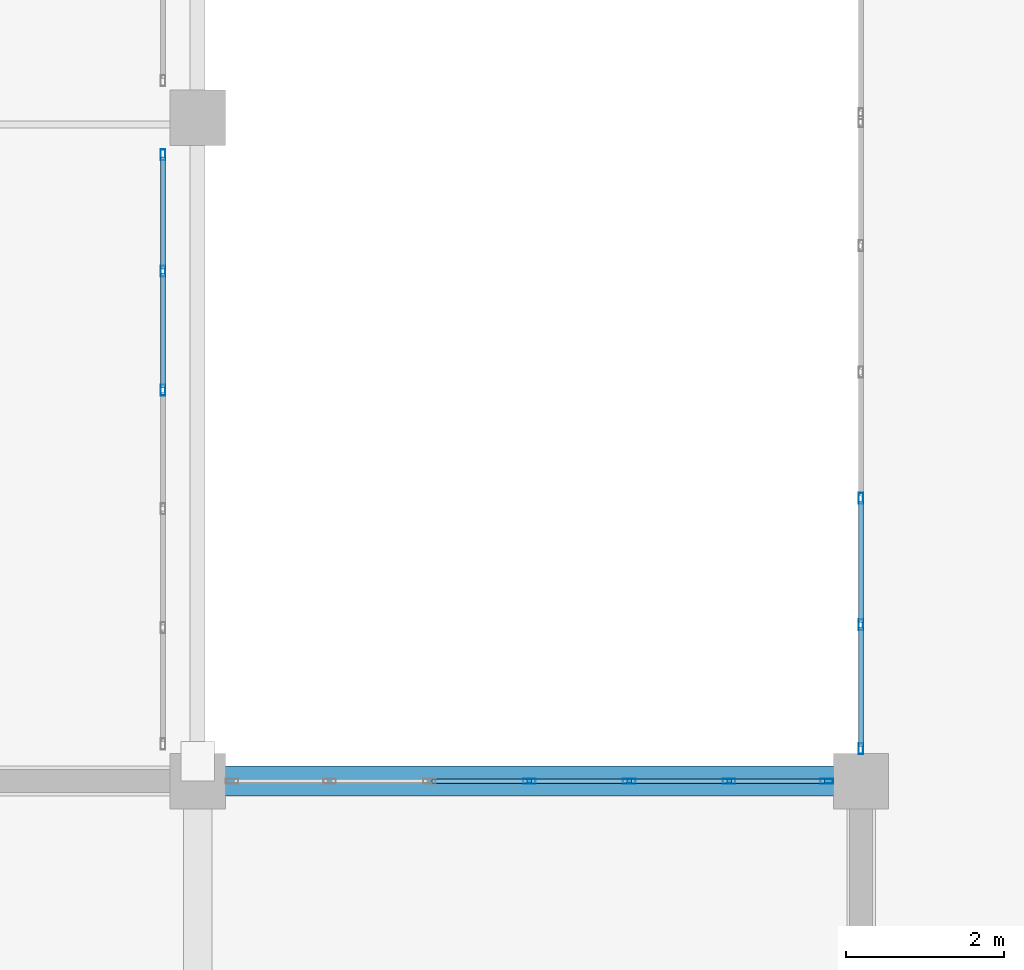
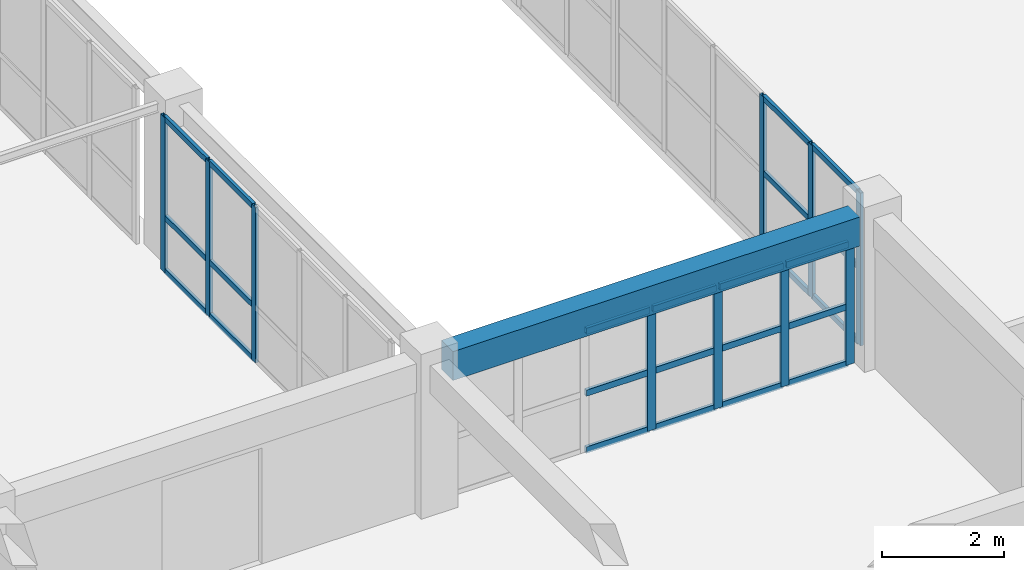
# One storey, part 63 of 148: 34 members, 1 beam, 3 elements without a shape of their own.
"""IFC4 building model written with IfcOpenShell, lengths in metres."""

from ifc_helpers import new_model, si_unit, direction, frame, origin, origin_2d, place, context, subcontext, project, spatial, rectangle, hollow_rectangle, extrude, material, layer, layer_set, material_profile, profile_set, type_object, element, aggregate, save


model = new_model("IFC4")

# Units and contexts
model_context = context("Model", 3, precision=1e-05, world=origin(), true_north=direction((0.0, 1.0)))
body_context = subcontext(model_context, "Body", "Model", "MODEL_VIEW")
ifc_project = project(units=[si_unit("LENGTHUNIT", "METRE"), si_unit("AREAUNIT", "SQUARE_METRE"), si_unit("VOLUMEUNIT", "CUBIC_METRE"), si_unit("PLANEANGLEUNIT", "RADIAN"), si_unit("MASSUNIT", "GRAM", prefix="KILO")], contexts=[model_context])

# Site, building, storey
site_placement = place(None, origin())
site = spatial("IfcSite", under=ifc_project, at=site_placement, CompositionType="ELEMENT")
building_placement = place(site_placement, origin())
building = spatial("IfcBuilding", under=site, at=building_placement, Name="Trelvath General Hospital", CompositionType="ELEMENT")
storey_placement = place(building_placement, frame((0.0, 0.0, 12.89990234375)))
storey = spatial("IfcBuildingStorey", under=building, at=storey_placement, Name="L03", CompositionType="ELEMENT", Elevation=12.89990234375)

# Beam
ifc_material_1 = material(Name="Concrete C35/45", Category="concrete")
ifc_material_profile_1 = material_profile(ifc_material_1, rectangle(XDim=0.3798828125, YDim=0.580078125, at=origin_2d()), Name="RCB380x580")
ifc_profile_set_1 = profile_set([ifc_material_profile_1], Name="Concrete C35/45")
beam_type = type_object("IfcBeamType", Name="Beam RC380x580", PredefinedType="BEAM", material=ifc_profile_set_1)
beam_placement = place(storey_placement, frame((84.344970703125, 67.199951171875, 2.72998046875), z_axis=(1.0, 0.0, 0.0), x_axis=(0.0, 1.0, 0.0)))
element("IfcBeam", 1, at=beam_placement, inside=storey, type_object=beam_type, Name="Grid Beam BX-310I", PredefinedType="BEAM", context=body_context, shape_type="SweptSolid", body=[
    extrude(rectangle(XDim=0.3798828125, YDim=0.580078125, at=origin_2d()), origin(), (0.0, 0.0, 1.0), 7.7099609375),
])

# Curtain wall, members
ifc_material_2 = material(Name="Anodised aluminium and low-E glass", Category="aluminium")
ifc_layer_1 = layer(ifc_material_2, 0.14990234375)
ifc_layer_set_1 = layer_set([ifc_layer_1], Name="Anodised aluminium and low-E glass")
curtain_wall_type_1 = type_object("IfcCurtainWallType", Name="CW CrystalCube 800 306 15", PredefinedType="USERDEFINED", material=ifc_layer_set_1)
curtain_wall_1_placement = place(storey_placement, origin())
curtain_wall_1 = element("IfcCurtainWall", 2, at=curtain_wall_1_placement, inside=storey, type_object=curtain_wall_type_1, Name="Crystal Cube Curtain Wall CUBE-E-T1 W4 L03", ObjectType="Unitised Glazed Curtain Wall", PredefinedType="USERDEFINED")
ifc_material_3 = material(Name="Anodised aluminium", Category="aluminium")
ifc_material_profile_2 = material_profile(ifc_material_3, hollow_rectangle(XDim=0.06005859375, YDim=0.139892578125, WallThickness=0.00390625, at=origin_2d()), Name="RHS60x140x4")
ifc_profile_set_2 = profile_set([ifc_material_profile_2], Name="Anodised aluminium")
member_type_1 = type_object("IfcMemberType", Name="CurtainMullion 60x140", PredefinedType="MULLION", material=ifc_profile_set_2)
member_1_placement = place(storey_placement, frame((92.39990234375, 67.610107421875, 0.0), z_axis=(0.0, 0.0, 1.0), x_axis=(-1.0, 0.0, 0.0)))
member_1 = element("IfcMember", 3, at=member_1_placement, type_object=member_type_1, Name="CW-255 mullion 1", PredefinedType="MULLION", context=body_context, shape_type="SweptSolid", body=[
    extrude(hollow_rectangle(XDim=0.06005859375, YDim=0.139892578125, WallThickness=0.00390625, at=origin_2d()), origin(), (0.0, 0.0, 1.0), 3.06005859375),
])
member_2_placement = place(storey_placement, frame((92.39990234375, 69.179931640625, 0.0), z_axis=(0.0, 0.0, 1.0), x_axis=(-1.0, 0.0, 0.0)))
member_2 = element("IfcMember", 4, at=member_2_placement, type_object=member_type_1, Name="CW-255 mullion 2", PredefinedType="MULLION", context=body_context, shape_type="SweptSolid", body=[
    extrude(hollow_rectangle(XDim=0.06005859375, YDim=0.139892578125, WallThickness=0.00390625, at=origin_2d()), origin(), (0.0, 0.0, 1.0), 3.06005859375),
])
member_3_placement = place(storey_placement, frame((92.39990234375, 70.780029296875, 0.0), z_axis=(0.0, 0.0, 1.0), x_axis=(-1.0, 0.0, 0.0)))
member_3 = element("IfcMember", 5, at=member_3_placement, type_object=member_type_1, Name="CW-255 mullion 3", PredefinedType="MULLION", context=body_context, shape_type="SweptSolid", body=[
    extrude(hollow_rectangle(XDim=0.06005859375, YDim=0.139892578125, WallThickness=0.00390625, at=origin_2d()), origin(), (0.0, 0.0, 1.0), 3.06005859375),
])

ifc_material_4 = material(Name="Anodised aluminium and low-E glass", Category="aluminium")
ifc_layer_2 = layer(ifc_material_4, 0.139892578125)
ifc_layer_set_2 = layer_set([ifc_layer_2], Name="Anodised aluminium and low-E glass")
curtain_wall_type_2 = type_object("IfcCurtainWallType", Name="CW Bridge 752 311", PredefinedType="USERDEFINED", material=ifc_layer_set_2)
curtain_wall_2_placement = place(storey_placement, origin())
curtain_wall_2 = element("IfcCurtainWall", 6, at=curtain_wall_2_placement, inside=storey, type_object=curtain_wall_type_2, Name="Glazed Bridge Curtain Wall BRG-N-C E L03", ObjectType="Unitised Glazed Curtain Wall", PredefinedType="USERDEFINED")
member_4_placement = place(storey_placement, frame((83.56005859375, 75.1298828125, 0.0), z_axis=(0.0, 0.0, 1.0), x_axis=(1.0, 0.0, 0.0)))
member_4 = element("IfcMember", 7, at=member_4_placement, type_object=member_type_1, Name="CW-259 mullion 1", PredefinedType="MULLION", context=body_context, shape_type="SweptSolid", body=[
    extrude(hollow_rectangle(XDim=0.06005859375, YDim=0.139892578125, WallThickness=0.00390625, at=origin_2d()), origin(), (0.0, 0.0, 1.0), 3.110107421875),
])
member_5_placement = place(storey_placement, frame((83.56005859375, 73.656005859375, 0.0), z_axis=(0.0, 0.0, 1.0), x_axis=(1.0, 0.0, 0.0)))
member_5 = element("IfcMember", 8, at=member_5_placement, type_object=member_type_1, Name="CW-259 mullion 2", PredefinedType="MULLION", context=body_context, shape_type="SweptSolid", body=[
    extrude(hollow_rectangle(XDim=0.06005859375, YDim=0.139892578125, WallThickness=0.00390625, at=origin_2d()), origin(), (0.0, 0.0, 1.0), 3.110107421875),
])
member_6_placement = place(storey_placement, frame((83.56005859375, 72.152099609375, 0.0), z_axis=(0.0, 0.0, 1.0), x_axis=(1.0, 0.0, 0.0)))
member_6 = element("IfcMember", 9, at=member_6_placement, type_object=member_type_1, Name="CW-259 mullion 3", PredefinedType="MULLION", context=body_context, shape_type="SweptSolid", body=[
    extrude(hollow_rectangle(XDim=0.06005859375, YDim=0.139892578125, WallThickness=0.00390625, at=origin_2d()), origin(), (0.0, 0.0, 1.0), 3.110107421875),
])

ifc_material_5 = material(Name="Anodised aluminium and low-E glass", Category="aluminium")
ifc_layer_3 = layer(ifc_material_5, 0.159912109375)
ifc_layer_set_3 = layer_set([ifc_layer_3], Name="Anodised aluminium and low-E glass")
curtain_wall_type_3 = type_object("IfcCurtainWallType", Name="CW Facade 759 244 16", PredefinedType="USERDEFINED", material=ifc_layer_set_3)
curtain_wall_3_placement = place(storey_placement, origin())
curtain_wall_3 = element("IfcCurtainWall", 10, at=curtain_wall_3_placement, inside=storey, type_object=curtain_wall_type_3, Name="Facade Curtain Wall CW-059", ObjectType="Unitised Glazed Curtain Wall", PredefinedType="USERDEFINED")
ifc_material_6 = material(Name="Anodised aluminium", Category="aluminium")
ifc_material_profile_3 = material_profile(ifc_material_6, hollow_rectangle(XDim=0.06005859375, YDim=0.159912109375, WallThickness=0.00390625, at=origin_2d()), Name="RHS60x160x4")
ifc_profile_set_3 = profile_set([ifc_material_profile_3], Name="Anodised aluminium")
member_type_2 = type_object("IfcMemberType", Name="CurtainMullion 60x160", PredefinedType="MULLION", material=ifc_profile_set_3)
member_7_placement = place(storey_placement, frame((88.199951171875, 67.199951171875, 0.0), z_axis=(0.0, 0.0, 1.0), x_axis=(0.0, 1.0, 0.0)))
member_7 = element("IfcMember", 11, at=member_7_placement, type_object=member_type_2, Name="CW-059 mullion 4", PredefinedType="MULLION", context=body_context, shape_type="SweptSolid", body=[
    extrude(hollow_rectangle(XDim=0.06005859375, YDim=0.159912109375, WallThickness=0.00390625, at=origin_2d()), origin(), (0.0, 0.0, 1.0), 2.440185546875),
])
member_8_placement = place(storey_placement, frame((89.465087890625, 67.199951171875, 0.0), z_axis=(0.0, 0.0, 1.0), x_axis=(0.0, 1.0, 0.0)))
member_8 = element("IfcMember", 12, at=member_8_placement, type_object=member_type_2, Name="CW-059 mullion 5", PredefinedType="MULLION", context=body_context, shape_type="SweptSolid", body=[
    extrude(hollow_rectangle(XDim=0.06005859375, YDim=0.159912109375, WallThickness=0.00390625, at=origin_2d()), origin(), (0.0, 0.0, 1.0), 2.440185546875),
])
member_9_placement = place(storey_placement, frame((90.72998046875, 67.199951171875, 0.0), z_axis=(0.0, 0.0, 1.0), x_axis=(0.0, 1.0, 0.0)))
member_9 = element("IfcMember", 13, at=member_9_placement, type_object=member_type_2, Name="CW-059 mullion 6", PredefinedType="MULLION", context=body_context, shape_type="SweptSolid", body=[
    extrude(hollow_rectangle(XDim=0.06005859375, YDim=0.159912109375, WallThickness=0.00390625, at=origin_2d()), origin(), (0.0, 0.0, 1.0), 2.440185546875),
])
member_10_placement = place(storey_placement, frame((91.965087890625, 67.199951171875, 0.0), z_axis=(0.0, 0.0, 1.0), x_axis=(0.0, 1.0, 0.0)))
member_10 = element("IfcMember", 14, at=member_10_placement, type_object=member_type_2, Name="CW-059 mullion 7", PredefinedType="MULLION", context=body_context, shape_type="SweptSolid", body=[
    extrude(hollow_rectangle(XDim=0.06005859375, YDim=0.159912109375, WallThickness=0.00390625, at=origin_2d()), origin(), (0.0, 0.0, 1.0), 2.440185546875),
])

# Member
ifc_material_7 = material(Name="Anodised aluminium", Category="aluminium")
ifc_material_profile_4 = material_profile(ifc_material_7, hollow_rectangle(XDim=0.06005859375, YDim=0.110107421875, WallThickness=0.00390625, at=origin_2d()), Name="RHS60x110x4")
ifc_profile_set_4 = profile_set([ifc_material_profile_4], Name="Anodised aluminium")
member_type_3 = type_object("IfcMemberType", Name="CurtainTransom 60x110", PredefinedType="USERDEFINED", material=ifc_profile_set_4)
member_11_placement = place(storey_placement, frame((92.39990234375, 67.639892578125, 0.030029296875), z_axis=(0.0, 1.0, 0.0), x_axis=(-1.0, 0.0, 0.0)))
member_11 = element("IfcMember", 15, at=member_11_placement, type_object=member_type_3, Name="CW-255 transom 1.1", ObjectType="TRANSOM", PredefinedType="USERDEFINED", context=body_context, shape_type="SweptSolid", body=[
    extrude(hollow_rectangle(XDim=0.06005859375, YDim=0.110107421875, WallThickness=0.00390625, at=origin_2d()), origin(), (0.0, 0.0, 1.0), 1.510009765625),
])

member_12_placement = place(storey_placement, frame((92.39990234375, 67.639892578125, 1.530029296875), z_axis=(0.0, 1.0, 0.0), x_axis=(-1.0, 0.0, 0.0)))
member_12 = element("IfcMember", 16, at=member_12_placement, type_object=member_type_3, Name="CW-255 transom 1.2", ObjectType="TRANSOM", PredefinedType="USERDEFINED", context=body_context, shape_type="SweptSolid", body=[
    extrude(hollow_rectangle(XDim=0.06005859375, YDim=0.110107421875, WallThickness=0.00390625, at=origin_2d()), origin(), (0.0, 0.0, 1.0), 1.510009765625),
])

member_13_placement = place(storey_placement, frame((92.39990234375, 67.639892578125, 3.030029296875), z_axis=(0.0, 1.0, 0.0), x_axis=(-1.0, 0.0, 0.0)))
member_13 = element("IfcMember", 17, at=member_13_placement, type_object=member_type_3, Name="CW-255 transom 1.3", ObjectType="TRANSOM", PredefinedType="USERDEFINED", context=body_context, shape_type="SweptSolid", body=[
    extrude(hollow_rectangle(XDim=0.06005859375, YDim=0.110107421875, WallThickness=0.00390625, at=origin_2d()), origin(), (0.0, 0.0, 1.0), 1.510009765625),
])

member_14_placement = place(storey_placement, frame((92.39990234375, 69.2099609375, 0.030029296875), z_axis=(0.0, 1.0, 0.0), x_axis=(-1.0, 0.0, 0.0)))
member_14 = element("IfcMember", 18, at=member_14_placement, type_object=member_type_3, Name="CW-255 transom 2.1", ObjectType="TRANSOM", PredefinedType="USERDEFINED", context=body_context, shape_type="SweptSolid", body=[
    extrude(hollow_rectangle(XDim=0.06005859375, YDim=0.110107421875, WallThickness=0.00390625, at=origin_2d()), origin(), (0.0, 0.0, 1.0), 1.5400390625),
])

member_15_placement = place(storey_placement, frame((92.39990234375, 69.2099609375, 1.530029296875), z_axis=(0.0, 1.0, 0.0), x_axis=(-1.0, 0.0, 0.0)))
member_15 = element("IfcMember", 19, at=member_15_placement, type_object=member_type_3, Name="CW-255 transom 2.2", ObjectType="TRANSOM", PredefinedType="USERDEFINED", context=body_context, shape_type="SweptSolid", body=[
    extrude(hollow_rectangle(XDim=0.06005859375, YDim=0.110107421875, WallThickness=0.00390625, at=origin_2d()), origin(), (0.0, 0.0, 1.0), 1.5400390625),
])

member_16_placement = place(storey_placement, frame((92.39990234375, 69.2099609375, 3.030029296875), z_axis=(0.0, 1.0, 0.0), x_axis=(-1.0, 0.0, 0.0)))
member_16 = element("IfcMember", 20, at=member_16_placement, type_object=member_type_3, Name="CW-255 transom 2.3", ObjectType="TRANSOM", PredefinedType="USERDEFINED", context=body_context, shape_type="SweptSolid", body=[
    extrude(hollow_rectangle(XDim=0.06005859375, YDim=0.110107421875, WallThickness=0.00390625, at=origin_2d()), origin(), (0.0, 0.0, 1.0), 1.5400390625),
])

aggregate(curtain_wall_1, [member_1, member_2, member_3, member_11, member_12, member_13, member_14, member_15, member_16])

member_17_placement = place(storey_placement, frame((83.56005859375, 75.10009765625, 0.030029296875), z_axis=(0.0, -1.0, 0.0), x_axis=(1.0, 0.0, 0.0)))
member_17 = element("IfcMember", 21, at=member_17_placement, type_object=member_type_3, Name="CW-259 transom 1.1", ObjectType="TRANSOM", PredefinedType="USERDEFINED", context=body_context, shape_type="SweptSolid", body=[
    extrude(hollow_rectangle(XDim=0.06005859375, YDim=0.110107421875, WallThickness=0.00390625, at=origin_2d()), origin(), (0.0, 0.0, 1.0), 1.4140625),
])

member_18_placement = place(storey_placement, frame((83.56005859375, 75.10009765625, 1.10009765625), z_axis=(0.0, -1.0, 0.0), x_axis=(1.0, 0.0, 0.0)))
member_18 = element("IfcMember", 22, at=member_18_placement, type_object=member_type_3, Name="CW-259 transom 1.2", ObjectType="TRANSOM", PredefinedType="USERDEFINED", context=body_context, shape_type="SweptSolid", body=[
    extrude(hollow_rectangle(XDim=0.06005859375, YDim=0.110107421875, WallThickness=0.00390625, at=origin_2d()), origin(), (0.0, 0.0, 1.0), 1.4140625),
])

member_19_placement = place(storey_placement, frame((83.56005859375, 75.10009765625, 3.080078125), z_axis=(0.0, -1.0, 0.0), x_axis=(1.0, 0.0, 0.0)))
member_19 = element("IfcMember", 23, at=member_19_placement, type_object=member_type_3, Name="CW-259 transom 1.3", ObjectType="TRANSOM", PredefinedType="USERDEFINED", context=body_context, shape_type="SweptSolid", body=[
    extrude(hollow_rectangle(XDim=0.06005859375, YDim=0.110107421875, WallThickness=0.00390625, at=origin_2d()), origin(), (0.0, 0.0, 1.0), 1.4140625),
])

member_20_placement = place(storey_placement, frame((83.56005859375, 73.6259765625, 0.030029296875), z_axis=(0.0, -1.0, 0.0), x_axis=(1.0, 0.0, 0.0)))
member_20 = element("IfcMember", 24, at=member_20_placement, type_object=member_type_3, Name="CW-259 transom 2.1", ObjectType="TRANSOM", PredefinedType="USERDEFINED", context=body_context, shape_type="SweptSolid", body=[
    extrude(hollow_rectangle(XDim=0.06005859375, YDim=0.110107421875, WallThickness=0.00390625, at=origin_2d()), origin(), (0.0, 0.0, 1.0), 1.444091796875),
])

member_21_placement = place(storey_placement, frame((83.56005859375, 73.6259765625, 1.10009765625), z_axis=(0.0, -1.0, 0.0), x_axis=(1.0, 0.0, 0.0)))
member_21 = element("IfcMember", 25, at=member_21_placement, type_object=member_type_3, Name="CW-259 transom 2.2", ObjectType="TRANSOM", PredefinedType="USERDEFINED", context=body_context, shape_type="SweptSolid", body=[
    extrude(hollow_rectangle(XDim=0.06005859375, YDim=0.110107421875, WallThickness=0.00390625, at=origin_2d()), origin(), (0.0, 0.0, 1.0), 1.444091796875),
])

member_22_placement = place(storey_placement, frame((83.56005859375, 73.6259765625, 3.080078125), z_axis=(0.0, -1.0, 0.0), x_axis=(1.0, 0.0, 0.0)))
member_22 = element("IfcMember", 26, at=member_22_placement, type_object=member_type_3, Name="CW-259 transom 2.3", ObjectType="TRANSOM", PredefinedType="USERDEFINED", context=body_context, shape_type="SweptSolid", body=[
    extrude(hollow_rectangle(XDim=0.06005859375, YDim=0.110107421875, WallThickness=0.00390625, at=origin_2d()), origin(), (0.0, 0.0, 1.0), 1.444091796875),
])

aggregate(curtain_wall_2, [member_4, member_5, member_6, member_17, member_18, member_19, member_20, member_21, member_22])

ifc_material_8 = material(Name="Anodised aluminium", Category="aluminium")
ifc_material_profile_5 = material_profile(ifc_material_8, hollow_rectangle(XDim=0.06005859375, YDim=0.125, WallThickness=0.00390625, at=origin_2d()), Name="RHS60x125x4")
ifc_profile_set_5 = profile_set([ifc_material_profile_5], Name="Anodised aluminium")
member_type_4 = type_object("IfcMemberType", Name="CurtainTransom 60x125", PredefinedType="USERDEFINED", material=ifc_profile_set_5)
member_23_placement = place(storey_placement, frame((86.965087890625, 67.199951171875, 0.030029296875), z_axis=(1.0, 0.0, 0.0), x_axis=(0.0, 1.0, 0.0)))
member_23 = element("IfcMember", 27, at=member_23_placement, type_object=member_type_4, Name="CW-059 transom 3.1", ObjectType="TRANSOM", PredefinedType="USERDEFINED", context=body_context, shape_type="SweptSolid", body=[
    extrude(hollow_rectangle(XDim=0.06005859375, YDim=0.125, WallThickness=0.00390625, at=origin_2d()), origin(), (0.0, 0.0, 1.0), 1.204833984375),
])

member_24_placement = place(storey_placement, frame((86.965087890625, 67.199951171875, 1.171142578125), z_axis=(1.0, 0.0, 0.0), x_axis=(0.0, 1.0, 0.0)))
member_24 = element("IfcMember", 28, at=member_24_placement, type_object=member_type_4, Name="CW-059 transom 3.2", ObjectType="TRANSOM", PredefinedType="USERDEFINED", context=body_context, shape_type="SweptSolid", body=[
    extrude(hollow_rectangle(XDim=0.06005859375, YDim=0.125, WallThickness=0.00390625, at=origin_2d()), origin(), (0.0, 0.0, 1.0), 1.204833984375),
])

member_25_placement = place(storey_placement, frame((86.965087890625, 67.199951171875, 2.41015625), z_axis=(1.0, 0.0, 0.0), x_axis=(0.0, 1.0, 0.0)))
member_25 = element("IfcMember", 29, at=member_25_placement, type_object=member_type_4, Name="CW-059 transom 3.3", ObjectType="TRANSOM", PredefinedType="USERDEFINED", context=body_context, shape_type="SweptSolid", body=[
    extrude(hollow_rectangle(XDim=0.06005859375, YDim=0.125, WallThickness=0.00390625, at=origin_2d()), origin(), (0.0, 0.0, 1.0), 1.204833984375),
])

member_26_placement = place(storey_placement, frame((88.22998046875, 67.199951171875, 0.030029296875), z_axis=(1.0, 0.0, 0.0), x_axis=(0.0, 1.0, 0.0)))
member_26 = element("IfcMember", 30, at=member_26_placement, type_object=member_type_4, Name="CW-059 transom 4.1", ObjectType="TRANSOM", PredefinedType="USERDEFINED", context=body_context, shape_type="SweptSolid", body=[
    extrude(hollow_rectangle(XDim=0.06005859375, YDim=0.125, WallThickness=0.00390625, at=origin_2d()), origin(), (0.0, 0.0, 1.0), 1.205078125),
])

member_27_placement = place(storey_placement, frame((88.22998046875, 67.199951171875, 1.171142578125), z_axis=(1.0, 0.0, 0.0), x_axis=(0.0, 1.0, 0.0)))
member_27 = element("IfcMember", 31, at=member_27_placement, type_object=member_type_4, Name="CW-059 transom 4.2", ObjectType="TRANSOM", PredefinedType="USERDEFINED", context=body_context, shape_type="SweptSolid", body=[
    extrude(hollow_rectangle(XDim=0.06005859375, YDim=0.125, WallThickness=0.00390625, at=origin_2d()), origin(), (0.0, 0.0, 1.0), 1.205078125),
])

member_28_placement = place(storey_placement, frame((88.22998046875, 67.199951171875, 2.41015625), z_axis=(1.0, 0.0, 0.0), x_axis=(0.0, 1.0, 0.0)))
member_28 = element("IfcMember", 32, at=member_28_placement, type_object=member_type_4, Name="CW-059 transom 4.3", ObjectType="TRANSOM", PredefinedType="USERDEFINED", context=body_context, shape_type="SweptSolid", body=[
    extrude(hollow_rectangle(XDim=0.06005859375, YDim=0.125, WallThickness=0.00390625, at=origin_2d()), origin(), (0.0, 0.0, 1.0), 1.205078125),
])

member_29_placement = place(storey_placement, frame((89.4951171875, 67.199951171875, 0.030029296875), z_axis=(1.0, 0.0, 0.0), x_axis=(0.0, 1.0, 0.0)))
member_29 = element("IfcMember", 33, at=member_29_placement, type_object=member_type_4, Name="CW-059 transom 5.1", ObjectType="TRANSOM", PredefinedType="USERDEFINED", context=body_context, shape_type="SweptSolid", body=[
    extrude(hollow_rectangle(XDim=0.06005859375, YDim=0.125, WallThickness=0.00390625, at=origin_2d()), origin(), (0.0, 0.0, 1.0), 1.204833984375),
])

member_30_placement = place(storey_placement, frame((89.4951171875, 67.199951171875, 1.171142578125), z_axis=(1.0, 0.0, 0.0), x_axis=(0.0, 1.0, 0.0)))
member_30 = element("IfcMember", 34, at=member_30_placement, type_object=member_type_4, Name="CW-059 transom 5.2", ObjectType="TRANSOM", PredefinedType="USERDEFINED", context=body_context, shape_type="SweptSolid", body=[
    extrude(hollow_rectangle(XDim=0.06005859375, YDim=0.125, WallThickness=0.00390625, at=origin_2d()), origin(), (0.0, 0.0, 1.0), 1.204833984375),
])

member_31_placement = place(storey_placement, frame((89.4951171875, 67.199951171875, 2.41015625), z_axis=(1.0, 0.0, 0.0), x_axis=(0.0, 1.0, 0.0)))
member_31 = element("IfcMember", 35, at=member_31_placement, type_object=member_type_4, Name="CW-059 transom 5.3", ObjectType="TRANSOM", PredefinedType="USERDEFINED", context=body_context, shape_type="SweptSolid", body=[
    extrude(hollow_rectangle(XDim=0.06005859375, YDim=0.125, WallThickness=0.00390625, at=origin_2d()), origin(), (0.0, 0.0, 1.0), 1.204833984375),
])

member_32_placement = place(storey_placement, frame((90.760009765625, 67.199951171875, 0.030029296875), z_axis=(1.0, 0.0, 0.0), x_axis=(0.0, 1.0, 0.0)))
member_32 = element("IfcMember", 36, at=member_32_placement, type_object=member_type_4, Name="CW-059 transom 6.1", ObjectType="TRANSOM", PredefinedType="USERDEFINED", context=body_context, shape_type="SweptSolid", body=[
    extrude(hollow_rectangle(XDim=0.06005859375, YDim=0.125, WallThickness=0.00390625, at=origin_2d()), origin(), (0.0, 0.0, 1.0), 1.175048828125),
])

member_33_placement = place(storey_placement, frame((90.760009765625, 67.199951171875, 1.171142578125), z_axis=(1.0, 0.0, 0.0), x_axis=(0.0, 1.0, 0.0)))
member_33 = element("IfcMember", 37, at=member_33_placement, type_object=member_type_4, Name="CW-059 transom 6.2", ObjectType="TRANSOM", PredefinedType="USERDEFINED", context=body_context, shape_type="SweptSolid", body=[
    extrude(hollow_rectangle(XDim=0.06005859375, YDim=0.125, WallThickness=0.00390625, at=origin_2d()), origin(), (0.0, 0.0, 1.0), 1.175048828125),
])

member_34_placement = place(storey_placement, frame((90.760009765625, 67.199951171875, 2.41015625), z_axis=(1.0, 0.0, 0.0), x_axis=(0.0, 1.0, 0.0)))
member_34 = element("IfcMember", 38, at=member_34_placement, type_object=member_type_4, Name="CW-059 transom 6.3", ObjectType="TRANSOM", PredefinedType="USERDEFINED", context=body_context, shape_type="SweptSolid", body=[
    extrude(hollow_rectangle(XDim=0.06005859375, YDim=0.125, WallThickness=0.00390625, at=origin_2d()), origin(), (0.0, 0.0, 1.0), 1.175048828125),
])

aggregate(curtain_wall_3, [member_7, member_8, member_9, member_10, member_23, member_24, member_25, member_26, member_27, member_28, member_29, member_30, member_31, member_32, member_33, member_34])

save(model, "model.ifc")
